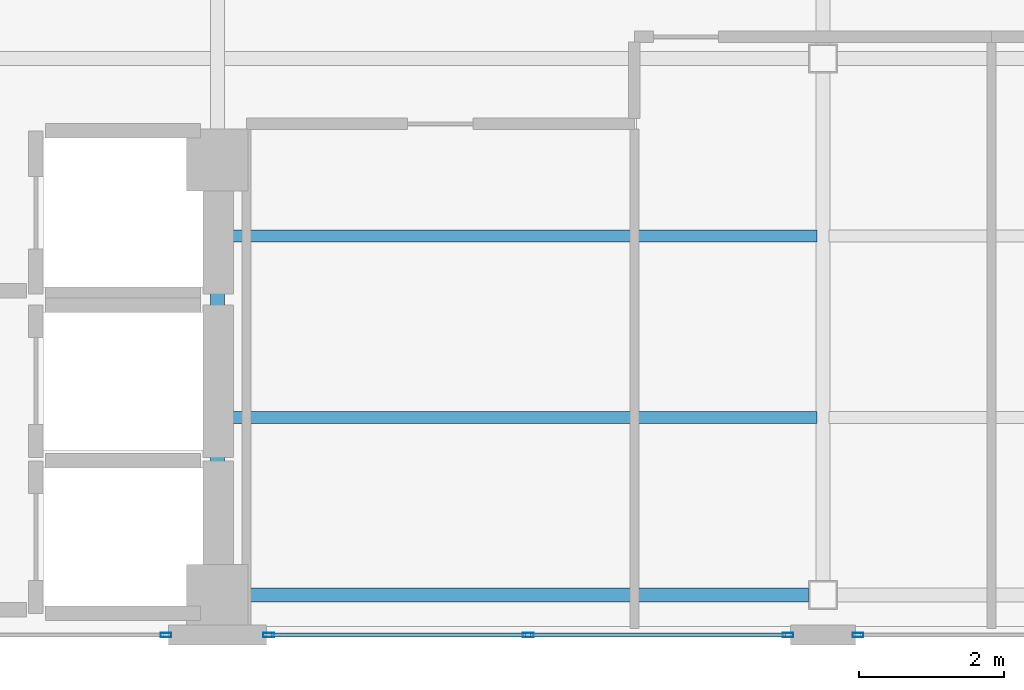
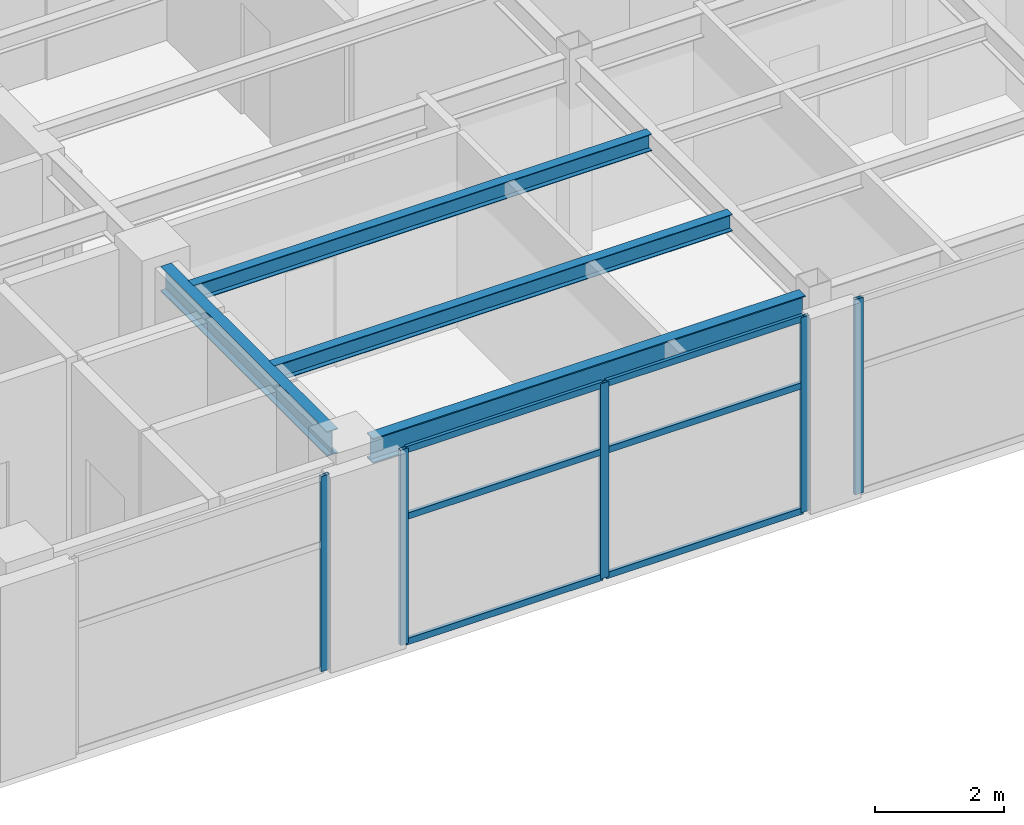
# One storey, part 4 of 15: 11 members, 4 beams, 3 elements without a shape of their own.
"""IFC4 building model written with IfcOpenShell, lengths in metres."""

import ifcopenshell
import ifcopenshell.guid

model = None  # the IFC model being written
_history = None  # IfcOwnerHistory: only IFC2X3 demands one
_inside = {}  # id of a spatial element -> (the spatial element, [elements in it])
_under = {}  # id of a project, library or spatial element -> (it, [spatial elements below it])
_declared = {}  # id of a project -> (the project, [libraries it declares])
_typed = {}  # id of a type object -> (the type object, [elements of that type])
_made_of = {}  # id of a material, layer set ... -> (it, [elements and type objects made of it])


def new_model(schema):
    """Start an empty IFC model of exactly this schema.

    Asked for "IFC4X3", IfcOpenShell would pick the latest addendum, in which some entities
    have other attributes; the version numbers below select the first issue.
    IFC2X3 requires an IfcOwnerHistory on every rooted entity: one is made here for all.
    """
    global model, _history
    if schema == "IFC4X3":
        model = ifcopenshell.file(schema_version=(4, 3, 0, 0))
    else:
        model = ifcopenshell.file(schema=schema)
    _inside.clear()
    _under.clear()
    _declared.clear()
    _typed.clear()
    _made_of.clear()
    _history = None
    if model.schema == "IFC2X3":
        org = make("IfcOrganization", Name="unknown")
        user = make(
            "IfcPersonAndOrganization",
            ThePerson=make("IfcPerson", FamilyName="unknown"),
            TheOrganization=org,
        )
        app = make(
            "IfcApplication",
            ApplicationDeveloper=org,
            Version="unknown",
            ApplicationFullName="unknown",
            ApplicationIdentifier="unknown",
        )
        _history = make(
            "IfcOwnerHistory",
            OwningUser=user,
            OwningApplication=app,
            ChangeAction="ADDED",
            CreationDate=0,
        )
    return model


def make(cls, **values):
    """One entity of the class cls with the attributes given. An attribute that is None is left unset."""
    return model.create_entity(
        cls, **{name: value for name, value in values.items() if value is not None}
    )


def rooted(cls, **values):
    """An entity with a GlobalId (a new one), such as an element, a storey or a relation."""
    return make(cls, GlobalId=ifcopenshell.guid.new(), OwnerHistory=_history, **values)


def si_unit(unit_type, name, prefix=None):
    """IfcSIUnit, for example si_unit("LENGTHUNIT", "METRE", prefix="MILLI")."""
    return make("IfcSIUnit", UnitType=unit_type, Prefix=prefix, Name=name)


def assignment(units):
    """IfcUnitAssignment: the units of a project."""
    return None if units is None else make("IfcUnitAssignment", Units=units)


def point(xyz):
    """IfcCartesianPoint."""
    return None if xyz is None else make("IfcCartesianPoint", Coordinates=xyz)


def direction(xyz):
    """IfcDirection."""
    return None if xyz is None else make("IfcDirection", DirectionRatios=xyz)


def frame(location, z_axis=None, x_axis=None):
    """IfcAxis2Placement3D, a coordinate frame: its origin and axes. An axis left out is left unset."""
    return make(
        "IfcAxis2Placement3D",
        Location=point(location),
        Axis=direction(z_axis),
        RefDirection=direction(x_axis),
    )


def frame_2d(location, x_axis=None):
    """IfcAxis2Placement2D, a coordinate frame in the plane: its origin and x axis."""
    return make(
        "IfcAxis2Placement2D", Location=point(location), RefDirection=direction(x_axis)
    )


def origin():
    """The frame at (0, 0, 0) with its axes left unset."""
    return frame((0.0, 0.0, 0.0))


def origin_2d():
    """The frame at (0, 0) in the plane with its x axis left unset."""
    return frame_2d((0.0, 0.0))


def place(relative_to, where):
    """IfcLocalPlacement: puts the frame where relative to a parent placement (None: the world)."""
    return make(
        "IfcLocalPlacement", PlacementRelTo=relative_to, RelativePlacement=where
    )


def context(
    kind, dimensions, precision=None, world=None, true_north=None, identifier=None
):
    """IfcGeometricRepresentationContext, for example the 3D "Model" context."""
    return make(
        "IfcGeometricRepresentationContext",
        ContextIdentifier=identifier,
        ContextType=kind,
        CoordinateSpaceDimension=dimensions,
        Precision=precision,
        WorldCoordinateSystem=world,
        TrueNorth=true_north,
    )


def subcontext(parent, identifier, kind, view, scale=None):
    """IfcGeometricRepresentationSubContext, for example "Body" below "Model"."""
    return make(
        "IfcGeometricRepresentationSubContext",
        ContextIdentifier=identifier,
        ContextType=kind,
        ParentContext=parent,
        TargetScale=scale,
        TargetView=view,
    )


def project(units=None, contexts=None):
    """IfcProject with its units and contexts."""
    return rooted(
        "IfcProject",
        Name="project",
        RepresentationContexts=contexts,
        UnitsInContext=assignment(units),
    )


def spatial(cls, under=None, at=None, **own):
    """A site, building, storey or space (cls), placed at a placement, below another one or the project."""
    s = rooted(cls, ObjectPlacement=at, **own)
    if under is not None:
        _under.setdefault(under.id(), (under, []))[1].append(s)
    return s


def profile(cls, at=None, kind="AREA", **sizes):
    """A parametric profile (cls). Its sizes go by their IFC names, for example OverallWidth=200.0."""
    return make(cls, ProfileType=kind, Position=at, **sizes)


def hollow_rectangle(**sizes):
    """IfcRectangleHollowProfileDef."""
    return profile("IfcRectangleHollowProfileDef", **sizes)


def i_section(**sizes):
    """IfcIShapeProfileDef."""
    return profile("IfcIShapeProfileDef", **sizes)


def extrude(swept, where, along, depth):
    """IfcExtrudedAreaSolid: the profile swept, set in the frame where, extruded along a direction by depth."""
    return make(
        "IfcExtrudedAreaSolid",
        SweptArea=swept,
        Position=where,
        ExtrudedDirection=direction(along),
        Depth=depth,
    )


def shape(context_of_items, identifier, shape_type, items):
    """IfcShapeRepresentation: the items that make up one representation, for example the "Body"."""
    return make(
        "IfcShapeRepresentation",
        ContextOfItems=context_of_items,
        RepresentationIdentifier=identifier,
        RepresentationType=shape_type,
        Items=items,
    )


def material(Name=None, Category=None):
    """IfcMaterial."""
    return make("IfcMaterial", Name=Name, Category=Category)


def layer(
    of_material, thickness, ventilated=None, Name=None, Category=None, Priority=None
):
    """IfcMaterialLayer: one layer of a wall or slab, of a material (None: an air gap)."""
    return make(
        "IfcMaterialLayer",
        Material=of_material,
        LayerThickness=thickness,
        IsVentilated=ventilated,
        Name=Name,
        Category=Category,
        Priority=Priority,
    )


def layer_set(layers, Name=None):
    """IfcMaterialLayerSet."""
    return make("IfcMaterialLayerSet", MaterialLayers=layers, LayerSetName=Name)


def material_profile(
    of_material, cross_section, Name=None, Category=None, Priority=None
):
    """IfcMaterialProfile: a cross section and its material."""
    return make(
        "IfcMaterialProfile",
        Name=Name,
        Material=of_material,
        Profile=cross_section,
        Priority=Priority,
        Category=Category,
    )


def profile_set(profiles, Name=None, composite=None):
    """IfcMaterialProfileSet."""
    return make(
        "IfcMaterialProfileSet",
        Name=Name,
        MaterialProfiles=profiles,
        CompositeProfile=composite,
    )


def made_of(thing, what):
    """Note that an element or type object is made of a material, layer set ...; save() writes the relation."""
    if what is not None:
        _made_of.setdefault(what.id(), (what, []))[1].append(thing)
    return thing


def type_object(cls, material=None, **own):
    """A type object (cls), such as IfcWallType, which elements share."""
    return made_of(rooted(cls, **own), material)


def element(
    cls,
    number,
    at=None,
    inside=None,
    cuts=None,
    type_object=None,
    material=None,
    context=None,
    identifier="Body",
    shape_type=None,
    held_by="IfcProductDefinitionShape",
    body=None,
    shapes=None,
    **own,
):
    """One element of the class cls, such as IfcWall. Its Tag is "e" and its number.

    at: its placement. inside: the storey or other place that contains it. cuts: it is an
    opening in that element (IfcRelVoidsElement). A single representation is given by context,
    identifier, shape_type and body (its items); several are given by shapes. held_by: the class
    of the entity that holds the representations. save() writes the other relations.
    """
    e = rooted(cls, Tag="e%d" % number, ObjectPlacement=at, **own)
    if body is not None:
        shapes = [shape(context, identifier, shape_type, body)]
    if shapes is not None:
        e.Representation = make(held_by, Representations=shapes)
    if inside is not None:
        _inside.setdefault(inside.id(), (inside, []))[1].append(e)
    if cuts is not None:
        rooted(
            "IfcRelVoidsElement", RelatingBuildingElement=cuts, RelatedOpeningElement=e
        )
    if type_object is not None:
        _typed.setdefault(type_object.id(), (type_object, []))[1].append(e)
    return made_of(e, material)


def aggregate(whole, parts):
    """IfcRelAggregates: a whole, such as a stair, and the parts it consists of."""
    return rooted("IfcRelAggregates", RelatingObject=whole, RelatedObjects=parts)


def save(model, path):
    """Write the relations noted so far, then the file.

    IfcRelAggregates (storeys below a building ...), IfcRelContainedInSpatialStructure (elements
    in a storey), IfcRelDefinesByType, IfcRelAssociatesMaterial and IfcRelDeclares: one each for
    every whole, place, type object, material and project.
    """
    for whole, parts in _under.values():
        aggregate(whole, parts)
    for where, things in _inside.values():
        rooted(
            "IfcRelContainedInSpatialStructure",
            RelatedElements=things,
            RelatingStructure=where,
        )
    for kind, things in _typed.values():
        rooted("IfcRelDefinesByType", RelatedObjects=things, RelatingType=kind)
    for what, things in _made_of.values():
        rooted("IfcRelAssociatesMaterial", RelatedObjects=things, RelatingMaterial=what)
    for by, libraries in _declared.values():
        rooted("IfcRelDeclares", RelatingContext=by, RelatedDefinitions=libraries)
    model.write(path)


model = new_model("IFC4")

# Units and contexts
model_context = context("Model", 3, precision=1e-05, world=origin(), true_north=direction((0.0, 1.0)))
body_context = subcontext(model_context, "Body", "Model", "MODEL_VIEW")
ifc_project = project(units=[si_unit("LENGTHUNIT", "METRE"), si_unit("AREAUNIT", "SQUARE_METRE"), si_unit("VOLUMEUNIT", "CUBIC_METRE"), si_unit("PLANEANGLEUNIT", "RADIAN"), si_unit("MASSUNIT", "GRAM", prefix="KILO")], contexts=[model_context])

# Site, building, storey
site_placement = place(None, origin())
site = spatial("IfcSite", under=ifc_project, at=site_placement, CompositionType="ELEMENT")
building_placement = place(site_placement, origin())
building = spatial("IfcBuilding", under=site, at=building_placement, Name="Mawjaban Terraces University", CompositionType="ELEMENT")
storey_placement = place(building_placement, frame((0.0, 0.0, 295.0)))
storey = spatial("IfcBuildingStorey", under=building, at=storey_placement, Name="L72", CompositionType="ELEMENT", Elevation=295.0)

# Beams
ifc_material_1 = material(Name="Steel ASTM A572 Grade 50", Category="steel")
ifc_material_profile_1 = material_profile(ifc_material_1, i_section(OverallWidth=0.194091796875, OverallDepth=0.468994140625, WebThickness=0.011474609375, FlangeThickness=0.0205078125, at=origin_2d()), Name="W460X106")
ifc_profile_set_1 = profile_set([ifc_material_profile_1], Name="Steel ASTM A572 Grade 50")
beam_type_1 = type_object("IfcBeamType", Name="Beam_B_W460X106", PredefinedType="BEAM", material=ifc_profile_set_1)
beam_1_placement = place(storey_placement, frame((38.074951171875, 0.550048828125, 3.455078125), z_axis=(1.0, 0.0, 0.0), x_axis=(0.0, 1.0, 0.0)))
element("IfcBeam", 1, at=beam_1_placement, inside=storey, type_object=beam_type_1, Name="L72 Beam BM-L72-EW-01", PredefinedType="BEAM", context=body_context, shape_type="SweptSolid", body=[
    extrude(i_section(OverallWidth=0.194091796875, OverallDepth=0.468994140625, WebThickness=0.011474609375, FlangeThickness=0.0205078125, at=origin_2d()), origin(), (0.0, 0.0, 1.0), 7.72509765625),
])
beam_2_placement = place(storey_placement, frame((37.64990234375, 0.97509765625, 3.455078125), z_axis=(0.0, 1.0, 0.0), x_axis=(-1.0, 0.0, 0.0)))
element("IfcBeam", 2, at=beam_2_placement, inside=storey, type_object=beam_type_1, Name="L72 Beam BM-L72-NS-04", PredefinedType="BEAM", context=body_context, shape_type="SweptSolid", body=[
    extrude(i_section(OverallWidth=0.194091796875, OverallDepth=0.468994140625, WebThickness=0.011474609375, FlangeThickness=0.0205078125, at=origin_2d()), origin(), (0.0, 0.0, 1.0), 5.14990234375),
])
ifc_material_profile_2 = material_profile(ifc_material_1, i_section(OverallWidth=0.1669921875, OverallDepth=0.318115234375, WebThickness=0.007568359375, FlangeThickness=0.01318359375, at=origin_2d()), Name="W310X52")
ifc_profile_set_2 = profile_set([ifc_material_profile_2], Name="Steel ASTM A572 Grade 50")
beam_type_2 = type_object("IfcBeamType", Name="Beam_J_W310X52", PredefinedType="JOIST", material=ifc_profile_set_2)
for number, where, z_axis, x_axis, name in (
    (3, (37.72998046875, 3.0, 3.531005859375), (1.0, 0.0, 0.0), (0.0, 1.0, 0.0), "L72 Composite Joist JST-L72-01"),
    (4, (37.72998046875, 5.5, 3.531005859375), (1.0, 0.0, 0.0), (0.0, 1.0, 0.0), "L72 Composite Joist JST-L72-03"),
):
    element("IfcBeam", number, at=place(storey_placement, frame(where, z_axis=z_axis, x_axis=x_axis)), inside=storey, type_object=beam_type_2, Name=name, PredefinedType="JOIST", context=body_context, shape_type="SweptSolid", body=[
        extrude(i_section(OverallWidth=0.1669921875, OverallDepth=0.318115234375, WebThickness=0.007568359375, FlangeThickness=0.01318359375, at=origin_2d()), origin(), (0.0, 0.0, 1.0), 8.18994140625),
    ])

# Curtain wall, member
ifc_material_2 = material(Name="Anodised aluminium 6063-T6 and solar-control low-E glass", Category="aluminium")
ifc_layer = layer(ifc_material_2, 0.159912109375)
ifc_layer_set = layer_set([ifc_layer], Name="Anodised aluminium 6063-T6 and solar-control low-E glass")
curtain_wall_type = type_object("IfcCurtainWallType", Name="CWSystem_03_NorthWing", PredefinedType="NOTDEFINED", material=ifc_layer_set)
curtain_wall_1_placement = place(storey_placement, origin())
curtain_wall_1 = element("IfcCurtainWall", 5, at=curtain_wall_1_placement, inside=storey, type_object=curtain_wall_type, Name="L72 Curtain Wall CW-03 Run 1.2", PredefinedType="NOTDEFINED")
ifc_material_3 = material(Name="Anodised aluminium 6063-T6", Category="aluminium")
ifc_material_profile_3 = material_profile(ifc_material_3, hollow_rectangle(XDim=0.06005859375, YDim=0.14990234375, WallThickness=0.00390625, at=origin_2d()), Name="ALU150X60X4")
ifc_profile_set_3 = profile_set([ifc_material_profile_3], Name="Anodised aluminium 6063-T6")
member_type_1 = type_object("IfcMemberType", Name="Mullion_CW-03", PredefinedType="MULLION", material=ifc_profile_set_3)
member_1_placement = place(storey_placement, frame((36.9423828125, 0.0, 0.0), z_axis=(0.0, 0.0, 1.0), x_axis=(0.0, 1.0, 0.0)))
member_1 = element("IfcMember", 6, at=member_1_placement, type_object=member_type_1, Name="CW-03 mullion 2", PredefinedType="MULLION", context=body_context, shape_type="SweptSolid", body=[
    extrude(hollow_rectangle(XDim=0.06005859375, YDim=0.14990234375, WallThickness=0.00390625, at=origin_2d()), origin(), (0.0, 0.0, 1.0), 3.68994140625),
])
aggregate(curtain_wall_1, [member_1])

# Curtain wall, members
curtain_wall_2_placement = place(storey_placement, origin())
curtain_wall_2 = element("IfcCurtainWall", 7, at=curtain_wall_2_placement, inside=storey, type_object=curtain_wall_type, Name="L72 Curtain Wall CW-03 Run 1.3", PredefinedType="NOTDEFINED")
member_2_placement = place(storey_placement, frame((38.357421875, 0.0, 0.0), z_axis=(0.0, 0.0, 1.0), x_axis=(0.0, 1.0, 0.0)))
member_2 = element("IfcMember", 8, at=member_2_placement, type_object=member_type_1, Name="CW-03 mullion 1", PredefinedType="MULLION", context=body_context, shape_type="SweptSolid", body=[
    extrude(hollow_rectangle(XDim=0.06005859375, YDim=0.14990234375, WallThickness=0.00390625, at=origin_2d()), origin(), (0.0, 0.0, 1.0), 3.68994140625),
])
member_3_placement = place(storey_placement, frame((41.9375, 0.0, 0.0), z_axis=(0.0, 0.0, 1.0), x_axis=(0.0, 1.0, 0.0)))
member_3 = element("IfcMember", 9, at=member_3_placement, type_object=member_type_1, Name="CW-03 mullion 2", PredefinedType="MULLION", context=body_context, shape_type="SweptSolid", body=[
    extrude(hollow_rectangle(XDim=0.06005859375, YDim=0.14990234375, WallThickness=0.00390625, at=origin_2d()), origin(), (0.0, 0.0, 1.0), 3.68994140625),
])
member_4_placement = place(storey_placement, frame((45.517578125, 0.0, 0.0), z_axis=(0.0, 0.0, 1.0), x_axis=(0.0, 1.0, 0.0)))
member_4 = element("IfcMember", 10, at=member_4_placement, type_object=member_type_1, Name="CW-03 mullion 3", PredefinedType="MULLION", context=body_context, shape_type="SweptSolid", body=[
    extrude(hollow_rectangle(XDim=0.06005859375, YDim=0.14990234375, WallThickness=0.00390625, at=origin_2d()), origin(), (0.0, 0.0, 1.0), 3.68994140625),
])

# Curtain wall, member
curtain_wall_3_placement = place(storey_placement, origin())
curtain_wall_3 = element("IfcCurtainWall", 11, at=curtain_wall_3_placement, inside=storey, type_object=curtain_wall_type, Name="L72 Curtain Wall CW-03 Run 1.4", PredefinedType="NOTDEFINED")
member_5_placement = place(storey_placement, frame((46.482421875, 0.0, 0.0), z_axis=(0.0, 0.0, 1.0), x_axis=(0.0, 1.0, 0.0)))
member_5 = element("IfcMember", 12, at=member_5_placement, type_object=member_type_1, Name="CW-03 mullion 1", PredefinedType="MULLION", context=body_context, shape_type="SweptSolid", body=[
    extrude(hollow_rectangle(XDim=0.06005859375, YDim=0.14990234375, WallThickness=0.00390625, at=origin_2d()), origin(), (0.0, 0.0, 1.0), 3.68994140625),
])
aggregate(curtain_wall_3, [member_5])

# Member
ifc_material_profile_4 = material_profile(ifc_material_3, hollow_rectangle(XDim=0.06005859375, YDim=0.1201171875, WallThickness=0.00341796875, at=origin_2d()), Name="ALU120X60X3.5")
ifc_profile_set_4 = profile_set([ifc_material_profile_4], Name="Anodised aluminium 6063-T6")
member_type_2 = type_object("IfcMemberType", Name="Transom_CW-03", PredefinedType="NOTDEFINED", material=ifc_profile_set_4)
member_6_placement = place(storey_placement, frame((38.389892578125, 0.0, 0.030029296875), z_axis=(1.0, 0.0, 0.0), x_axis=(0.0, 1.0, 0.0)))
member_6 = element("IfcMember", 13, at=member_6_placement, type_object=member_type_2, Name="CW-03 transom 1.1", ObjectType="TRANSOM", PredefinedType="USERDEFINED", context=body_context, shape_type="SweptSolid", body=[
    extrude(hollow_rectangle(XDim=0.06005859375, YDim=0.1201171875, WallThickness=0.00341796875, at=origin_2d()), origin(), (0.0, 0.0, 1.0), 3.51513671875),
])

member_7_placement = place(storey_placement, frame((38.389892578125, 0.0, 2.39892578125), z_axis=(1.0, 0.0, 0.0), x_axis=(0.0, 1.0, 0.0)))
member_7 = element("IfcMember", 14, at=member_7_placement, type_object=member_type_2, Name="CW-03 transom 1.2", ObjectType="TRANSOM", PredefinedType="USERDEFINED", context=body_context, shape_type="SweptSolid", body=[
    extrude(hollow_rectangle(XDim=0.06005859375, YDim=0.1201171875, WallThickness=0.00341796875, at=origin_2d()), origin(), (0.0, 0.0, 1.0), 3.51513671875),
])

member_8_placement = place(storey_placement, frame((38.389892578125, 0.0, 3.659912109375), z_axis=(1.0, 0.0, 0.0), x_axis=(0.0, 1.0, 0.0)))
member_8 = element("IfcMember", 15, at=member_8_placement, type_object=member_type_2, Name="CW-03 transom 1.3", ObjectType="TRANSOM", PredefinedType="USERDEFINED", context=body_context, shape_type="SweptSolid", body=[
    extrude(hollow_rectangle(XDim=0.06005859375, YDim=0.1201171875, WallThickness=0.00341796875, at=origin_2d()), origin(), (0.0, 0.0, 1.0), 3.51513671875),
])

member_9_placement = place(storey_placement, frame((41.969970703125, 0.0, 0.030029296875), z_axis=(1.0, 0.0, 0.0), x_axis=(0.0, 1.0, 0.0)))
member_9 = element("IfcMember", 16, at=member_9_placement, type_object=member_type_2, Name="CW-03 transom 2.1", ObjectType="TRANSOM", PredefinedType="USERDEFINED", context=body_context, shape_type="SweptSolid", body=[
    extrude(hollow_rectangle(XDim=0.06005859375, YDim=0.1201171875, WallThickness=0.00341796875, at=origin_2d()), origin(), (0.0, 0.0, 1.0), 3.51513671875),
])

member_10_placement = place(storey_placement, frame((41.969970703125, 0.0, 2.39892578125), z_axis=(1.0, 0.0, 0.0), x_axis=(0.0, 1.0, 0.0)))
member_10 = element("IfcMember", 17, at=member_10_placement, type_object=member_type_2, Name="CW-03 transom 2.2", ObjectType="TRANSOM", PredefinedType="USERDEFINED", context=body_context, shape_type="SweptSolid", body=[
    extrude(hollow_rectangle(XDim=0.06005859375, YDim=0.1201171875, WallThickness=0.00341796875, at=origin_2d()), origin(), (0.0, 0.0, 1.0), 3.51513671875),
])

member_11_placement = place(storey_placement, frame((41.969970703125, 0.0, 3.659912109375), z_axis=(1.0, 0.0, 0.0), x_axis=(0.0, 1.0, 0.0)))
member_11 = element("IfcMember", 18, at=member_11_placement, type_object=member_type_2, Name="CW-03 transom 2.3", ObjectType="TRANSOM", PredefinedType="USERDEFINED", context=body_context, shape_type="SweptSolid", body=[
    extrude(hollow_rectangle(XDim=0.06005859375, YDim=0.1201171875, WallThickness=0.00341796875, at=origin_2d()), origin(), (0.0, 0.0, 1.0), 3.51513671875),
])

aggregate(curtain_wall_2, [member_2, member_3, member_4, member_6, member_7, member_8, member_9, member_10, member_11])

save(model, "model.ifc")
